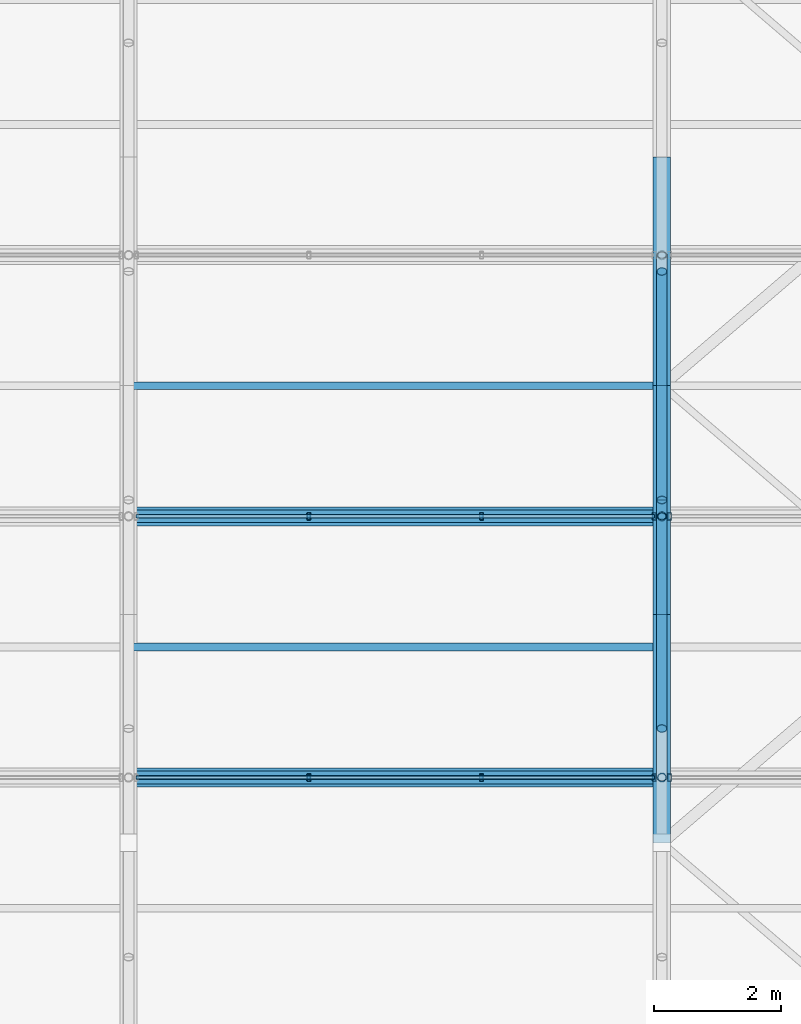
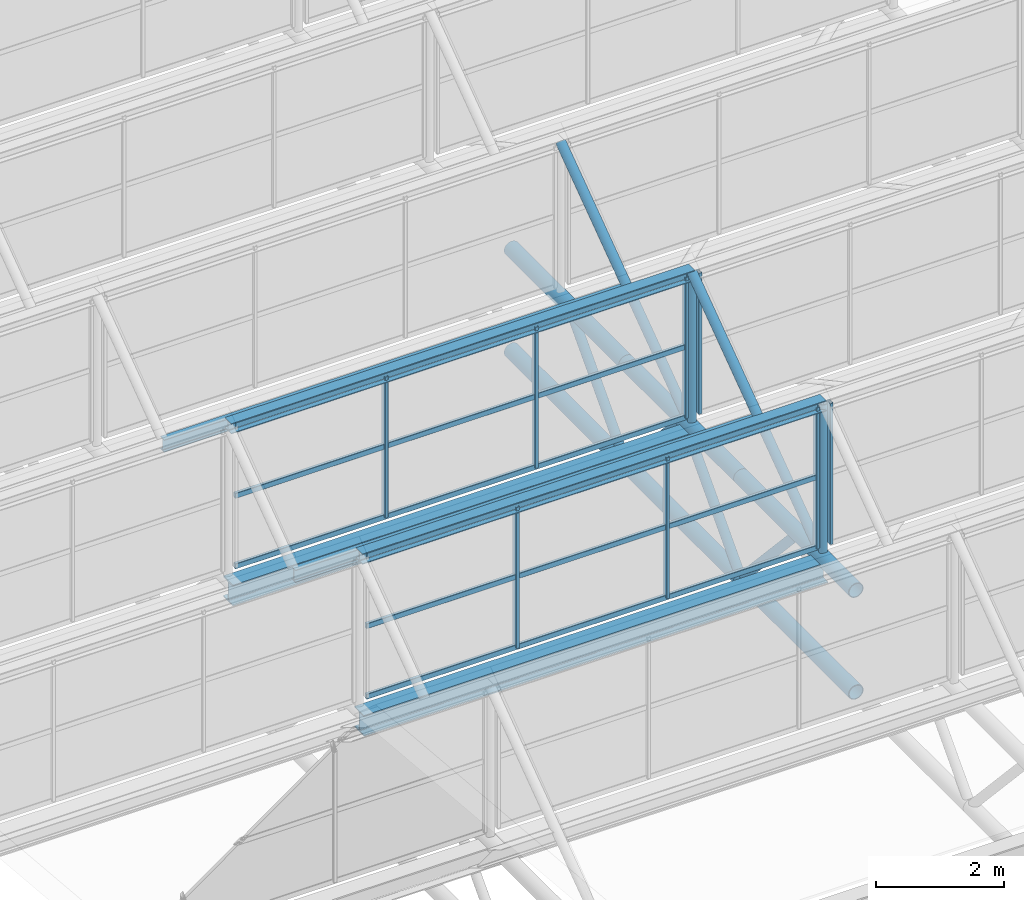
# One storey, part 87 of 134: 28 members, 6 beams, 4 elements without a shape of their own.
"""IFC4 building model written with IfcOpenShell, lengths in metres."""

from ifc_helpers import new_model, si_unit, derived_unit, direction, frame, origin, origin_2d, place, context, subcontext, project, spatial, hollow_rectangle, hollow_circle, i_section, extrude, material, material_profile, profile_set, type_object, element, aggregate, save


model = new_model("IFC4")

# Units and contexts
model_context = context("Model", 3, precision=1e-05, world=origin(), true_north=direction((0.0, 1.0)))
body_context = subcontext(model_context, "Body", "Model", "MODEL_VIEW")
ifc_project = project(units=[si_unit("LENGTHUNIT", "METRE"), si_unit("AREAUNIT", "SQUARE_METRE"), si_unit("VOLUMEUNIT", "CUBIC_METRE"), si_unit("PLANEANGLEUNIT", "RADIAN"), si_unit("MASSUNIT", "GRAM", prefix="KILO"), derived_unit("THERMALTRANSMITTANCEUNIT", [(si_unit("MASSUNIT", "GRAM", prefix="KILO"), 1), (si_unit("TIMEUNIT", "SECOND"), -3), (si_unit("THERMODYNAMICTEMPERATUREUNIT", "KELVIN"), -1)])], contexts=[model_context])

# Site, building, storey
site_placement = place(None, origin())
site = spatial("IfcSite", under=ifc_project, at=site_placement, CompositionType="ELEMENT")
building_placement = place(site_placement, origin())
building = spatial("IfcBuilding", under=site, at=building_placement, Name="Kharveza Railside Sports Centre", CompositionType="ELEMENT")
storey_placement = place(building_placement, frame((0.0, 0.0, 12.89990234375)))
storey = spatial("IfcBuildingStorey", under=building, at=storey_placement, Name="L03", CompositionType="ELEMENT", Elevation=12.89990234375)

# Beams
ifc_material_1 = material(Name="Steel S355J2", Category="steel")
ifc_material_profile_1 = material_profile(ifc_material_1, i_section(OverallWidth=0.300048828125, OverallDepth=0.39990234375, WebThickness=0.013427734375, FlangeThickness=0.02392578125, FilletRadius=0.027099609375, at=origin_2d()), Name="HEB 400")
ifc_profile_set_1 = profile_set([ifc_material_profile_1], Name="Steel S355J2")
beam_type_1 = type_object("IfcBeamType", Name="BM-G07", PredefinedType="T_BEAM", material=ifc_profile_set_1)
for number, where, z_axis, x_axis, name in (
    (1, (126.0, 87.4287109375, 1.760009765625), (1.0, 0.0, 0.0), (0.0, 1.0, 0.0), "BM-V2SAW-VAL-3-5"),
    (2, (126.0, 91.54296875, 1.760009765625), (1.0, 0.0, 0.0), (0.0, 1.0, 0.0), "BM-V2SAW-VAL-4-5"),
):
    element("IfcBeam", number, at=place(storey_placement, frame(where, z_axis=z_axis, x_axis=x_axis)), inside=storey, type_object=beam_type_1, Name=name, PredefinedType="T_BEAM", context=body_context, shape_type="SweptSolid", body=[
        extrude(i_section(OverallWidth=0.300048828125, OverallDepth=0.39990234375, WebThickness=0.013427734375, FlangeThickness=0.02392578125, FilletRadius=0.027099609375, at=origin_2d()), origin(), (0.0, 0.0, 1.0), 8.39990234375),
    ])
ifc_material_2 = material(Name="Steel S275JR", Category="steel")
ifc_material_profile_2 = material_profile(ifc_material_2, i_section(OverallWidth=0.1201171875, OverallDepth=0.239990234375, WebThickness=0.006103515625, FlangeThickness=0.009765625, FilletRadius=0.014892578125, at=origin_2d()), Name="IPE 240")
ifc_profile_set_2 = profile_set([ifc_material_profile_2], Name="Steel S275JR")
beam_type_2 = type_object("IfcBeamType", Name="BM-J01", PredefinedType="JOIST", material=ifc_profile_set_2)
for number, where, z_axis, x_axis, name in (
    (3, (126.0, 89.485595703125, 3.320068359375), (1.0, 0.0, 0.0), (0.0, 1.0, 0.0), "BM-V2SAW-PUR-3-5"),
    (4, (126.0, 93.60009765625, 3.320068359375), (1.0, 0.0, 0.0), (0.0, 1.0, 0.0), "BM-V2SAW-PUR-4-5"),
):
    element("IfcBeam", number, at=place(storey_placement, frame(where, z_axis=z_axis, x_axis=x_axis)), inside=storey, type_object=beam_type_2, Name=name, PredefinedType="JOIST", context=body_context, shape_type="SweptSolid", body=[
        extrude(i_section(OverallWidth=0.1201171875, OverallDepth=0.239990234375, WebThickness=0.006103515625, FlangeThickness=0.009765625, FilletRadius=0.014892578125, at=origin_2d()), origin(), (0.0, 0.0, 1.0), 8.39990234375),
    ])
ifc_material_profile_3 = material_profile(ifc_material_2, i_section(OverallWidth=0.199951171875, OverallDepth=0.199951171875, WebThickness=0.009033203125, FlangeThickness=0.014892578125, FilletRadius=0.01806640625, at=origin_2d()), Name="HEB 200")
ifc_profile_set_3 = profile_set([ifc_material_profile_3], Name="Steel S275JR")
beam_type_3 = type_object("IfcBeamType", Name="BM-J05", PredefinedType="JOIST", material=ifc_profile_set_3)
for number, where, z_axis, x_axis, name in (
    (5, (126.0, 87.4287109375, 4.920166015625), (1.0, 0.0, 0.0), (0.0, 1.0, 0.0), "BM-V2SAW-RDG-2-5"),
    (6, (126.0, 91.54296875, 4.920166015625), (1.0, 0.0, 0.0), (0.0, 1.0, 0.0), "BM-V2SAW-RDG-3-5"),
):
    element("IfcBeam", number, at=place(storey_placement, frame(where, z_axis=z_axis, x_axis=x_axis)), inside=storey, type_object=beam_type_3, Name=name, PredefinedType="JOIST", context=body_context, shape_type="SweptSolid", body=[
        extrude(i_section(OverallWidth=0.199951171875, OverallDepth=0.199951171875, WebThickness=0.009033203125, FlangeThickness=0.014892578125, FilletRadius=0.01806640625, at=origin_2d()), origin(), (0.0, 0.0, 1.0), 8.39990234375),
    ])

# Curtain wall, members
ifc_material_3 = material(Name="Low-E solar-control laminated glass", Category="glass")
curtain_wall_type = type_object("IfcCurtainWallType", Name="CW-NL02", PredefinedType="NOTDEFINED", material=ifc_material_3)
curtain_wall_1_placement = place(storey_placement, origin())
curtain_wall_1 = element("IfcCurtainWall", 7, at=curtain_wall_1_placement, inside=storey, type_object=curtain_wall_type, Name="CW-V2NL-2-5", PredefinedType="NOTDEFINED")
ifc_material_4 = material(Name="Anodised aluminium 6063-T6", Category="aluminium")
ifc_material_profile_4 = material_profile(ifc_material_4, hollow_rectangle(XDim=0.06005859375, YDim=0.1201171875, WallThickness=0.0048828125, InnerFilletRadius=0.0048828125, OuterFilletRadius=0.010009765625, at=origin_2d()), Name="RHS 60x120x5.0")
ifc_profile_set_4 = profile_set([ifc_material_profile_4], Name="Anodised aluminium 6063-T6")
member_type_1 = type_object("IfcMemberType", Name="CW-ML05", PredefinedType="MULLION", material=ifc_profile_set_4)
member_1_placement = place(storey_placement, frame((128.840087890625, 87.4287109375, 2.2001953125), z_axis=(0.0, 0.0, 1.0), x_axis=(1.0, 0.0, 0.0)))
member_1 = element("IfcMember", 8, at=member_1_placement, type_object=member_type_1, Name="CW-V2NL-2-5-ML2", PredefinedType="MULLION", context=body_context, shape_type="SweptSolid", body=[
    extrude(hollow_rectangle(XDim=0.06005859375, YDim=0.1201171875, WallThickness=0.0048828125, InnerFilletRadius=0.0048828125, OuterFilletRadius=0.010009765625, at=origin_2d()), origin(), (0.0, 0.0, 1.0), 2.699951171875),
])
member_2_placement = place(storey_placement, frame((131.56005859375, 87.4287109375, 2.2001953125), z_axis=(0.0, 0.0, 1.0), x_axis=(1.0, 0.0, 0.0)))
member_2 = element("IfcMember", 9, at=member_2_placement, type_object=member_type_1, Name="CW-V2NL-2-5-ML3", PredefinedType="MULLION", context=body_context, shape_type="SweptSolid", body=[
    extrude(hollow_rectangle(XDim=0.06005859375, YDim=0.1201171875, WallThickness=0.0048828125, InnerFilletRadius=0.0048828125, OuterFilletRadius=0.010009765625, at=origin_2d()), origin(), (0.0, 0.0, 1.0), 2.699951171875),
])
member_3_placement = place(storey_placement, frame((134.280029296875, 87.4287109375, 2.2001953125), z_axis=(0.0, 0.0, 1.0), x_axis=(1.0, 0.0, 0.0)))
member_3 = element("IfcMember", 10, at=member_3_placement, type_object=member_type_1, Name="CW-V2NL-2-5-ML4", PredefinedType="MULLION", context=body_context, shape_type="SweptSolid", body=[
    extrude(hollow_rectangle(XDim=0.06005859375, YDim=0.1201171875, WallThickness=0.0048828125, InnerFilletRadius=0.0048828125, OuterFilletRadius=0.010009765625, at=origin_2d()), origin(), (0.0, 0.0, 1.0), 2.699951171875),
])

# Curtain wall, member
curtain_wall_2_placement = place(storey_placement, origin())
curtain_wall_2 = element("IfcCurtainWall", 11, at=curtain_wall_2_placement, inside=storey, type_object=curtain_wall_type, Name="CW-V2NL-2-6", PredefinedType="NOTDEFINED")
member_4_placement = place(storey_placement, frame((134.52001953125, 87.4287109375, 2.2001953125), z_axis=(0.0, 0.0, 1.0), x_axis=(1.0, 0.0, 0.0)))
member_4 = element("IfcMember", 12, at=member_4_placement, type_object=member_type_1, Name="CW-V2NL-2-6-ML1", PredefinedType="MULLION", context=body_context, shape_type="SweptSolid", body=[
    extrude(hollow_rectangle(XDim=0.06005859375, YDim=0.1201171875, WallThickness=0.0048828125, InnerFilletRadius=0.0048828125, OuterFilletRadius=0.010009765625, at=origin_2d()), origin(), (0.0, 0.0, 1.0), 2.699951171875),
])
aggregate(curtain_wall_2, [member_4])

# Curtain wall, members
curtain_wall_3_placement = place(storey_placement, origin())
curtain_wall_3 = element("IfcCurtainWall", 13, at=curtain_wall_3_placement, inside=storey, type_object=curtain_wall_type, Name="CW-V2NL-3-5", PredefinedType="NOTDEFINED")
member_5_placement = place(storey_placement, frame((128.840087890625, 91.54296875, 2.2001953125), z_axis=(0.0, 0.0, 1.0), x_axis=(1.0, 0.0, 0.0)))
member_5 = element("IfcMember", 14, at=member_5_placement, type_object=member_type_1, Name="CW-V2NL-3-5-ML2", PredefinedType="MULLION", context=body_context, shape_type="SweptSolid", body=[
    extrude(hollow_rectangle(XDim=0.06005859375, YDim=0.1201171875, WallThickness=0.0048828125, InnerFilletRadius=0.0048828125, OuterFilletRadius=0.010009765625, at=origin_2d()), origin(), (0.0, 0.0, 1.0), 2.699951171875),
])
member_6_placement = place(storey_placement, frame((131.56005859375, 91.54296875, 2.2001953125), z_axis=(0.0, 0.0, 1.0), x_axis=(1.0, 0.0, 0.0)))
member_6 = element("IfcMember", 15, at=member_6_placement, type_object=member_type_1, Name="CW-V2NL-3-5-ML3", PredefinedType="MULLION", context=body_context, shape_type="SweptSolid", body=[
    extrude(hollow_rectangle(XDim=0.06005859375, YDim=0.1201171875, WallThickness=0.0048828125, InnerFilletRadius=0.0048828125, OuterFilletRadius=0.010009765625, at=origin_2d()), origin(), (0.0, 0.0, 1.0), 2.699951171875),
])
member_7_placement = place(storey_placement, frame((134.280029296875, 91.54296875, 2.2001953125), z_axis=(0.0, 0.0, 1.0), x_axis=(1.0, 0.0, 0.0)))
member_7 = element("IfcMember", 16, at=member_7_placement, type_object=member_type_1, Name="CW-V2NL-3-5-ML4", PredefinedType="MULLION", context=body_context, shape_type="SweptSolid", body=[
    extrude(hollow_rectangle(XDim=0.06005859375, YDim=0.1201171875, WallThickness=0.0048828125, InnerFilletRadius=0.0048828125, OuterFilletRadius=0.010009765625, at=origin_2d()), origin(), (0.0, 0.0, 1.0), 2.699951171875),
])

# Curtain wall, member
curtain_wall_4_placement = place(storey_placement, origin())
curtain_wall_4 = element("IfcCurtainWall", 17, at=curtain_wall_4_placement, inside=storey, type_object=curtain_wall_type, Name="CW-V2NL-3-6", PredefinedType="NOTDEFINED")
member_8_placement = place(storey_placement, frame((134.52001953125, 91.54296875, 2.2001953125), z_axis=(0.0, 0.0, 1.0), x_axis=(1.0, 0.0, 0.0)))
member_8 = element("IfcMember", 18, at=member_8_placement, type_object=member_type_1, Name="CW-V2NL-3-6-ML1", PredefinedType="MULLION", context=body_context, shape_type="SweptSolid", body=[
    extrude(hollow_rectangle(XDim=0.06005859375, YDim=0.1201171875, WallThickness=0.0048828125, InnerFilletRadius=0.0048828125, OuterFilletRadius=0.010009765625, at=origin_2d()), origin(), (0.0, 0.0, 1.0), 2.699951171875),
])
aggregate(curtain_wall_4, [member_8])

# Member
ifc_material_profile_5 = material_profile(ifc_material_4, hollow_rectangle(XDim=0.06005859375, YDim=0.10009765625, WallThickness=0.00390625, InnerFilletRadius=0.00390625, OuterFilletRadius=0.008056640625, at=origin_2d()), Name="RHS 60x100x4.0")
ifc_profile_set_5 = profile_set([ifc_material_profile_5], Name="Anodised aluminium 6063-T6")
member_type_2 = type_object("IfcMemberType", Name="CW-TR05", PredefinedType="USERDEFINED", material=ifc_profile_set_5)
member_9_placement = place(storey_placement, frame((126.1201171875, 87.4287109375, 2.2001953125), z_axis=(1.0, 0.0, 0.0), x_axis=(0.0, 1.0, 0.0)))
member_9 = element("IfcMember", 19, at=member_9_placement, type_object=member_type_2, Name="CW-V2NL-2-5-TR1", ObjectType="TRANSOM", PredefinedType="USERDEFINED", context=body_context, shape_type="SweptSolid", body=[
    extrude(hollow_rectangle(XDim=0.06005859375, YDim=0.10009765625, WallThickness=0.00390625, InnerFilletRadius=0.00390625, OuterFilletRadius=0.008056640625, at=origin_2d()), origin(), (0.0, 0.0, 1.0), 8.159912109375),
])

member_10_placement = place(storey_placement, frame((126.1201171875, 87.4287109375, 3.550048828125), z_axis=(1.0, 0.0, 0.0), x_axis=(0.0, 1.0, 0.0)))
member_10 = element("IfcMember", 20, at=member_10_placement, type_object=member_type_2, Name="CW-V2NL-2-5-TR2", ObjectType="TRANSOM", PredefinedType="USERDEFINED", context=body_context, shape_type="SweptSolid", body=[
    extrude(hollow_rectangle(XDim=0.06005859375, YDim=0.10009765625, WallThickness=0.00390625, InnerFilletRadius=0.00390625, OuterFilletRadius=0.008056640625, at=origin_2d()), origin(), (0.0, 0.0, 1.0), 8.159912109375),
])

member_11_placement = place(storey_placement, frame((126.1201171875, 87.4287109375, 4.900146484375), z_axis=(1.0, 0.0, 0.0), x_axis=(0.0, 1.0, 0.0)))
member_11 = element("IfcMember", 21, at=member_11_placement, type_object=member_type_2, Name="CW-V2NL-2-5-TR3", ObjectType="TRANSOM", PredefinedType="USERDEFINED", context=body_context, shape_type="SweptSolid", body=[
    extrude(hollow_rectangle(XDim=0.06005859375, YDim=0.10009765625, WallThickness=0.00390625, InnerFilletRadius=0.00390625, OuterFilletRadius=0.008056640625, at=origin_2d()), origin(), (0.0, 0.0, 1.0), 8.159912109375),
])

aggregate(curtain_wall_1, [member_1, member_2, member_3, member_9, member_10, member_11])

member_12_placement = place(storey_placement, frame((126.1201171875, 91.54296875, 2.2001953125), z_axis=(1.0, 0.0, 0.0), x_axis=(0.0, 1.0, 0.0)))
member_12 = element("IfcMember", 22, at=member_12_placement, type_object=member_type_2, Name="CW-V2NL-3-5-TR1", ObjectType="TRANSOM", PredefinedType="USERDEFINED", context=body_context, shape_type="SweptSolid", body=[
    extrude(hollow_rectangle(XDim=0.06005859375, YDim=0.10009765625, WallThickness=0.00390625, InnerFilletRadius=0.00390625, OuterFilletRadius=0.008056640625, at=origin_2d()), origin(), (0.0, 0.0, 1.0), 8.159912109375),
])

member_13_placement = place(storey_placement, frame((126.1201171875, 91.54296875, 3.550048828125), z_axis=(1.0, 0.0, 0.0), x_axis=(0.0, 1.0, 0.0)))
member_13 = element("IfcMember", 23, at=member_13_placement, type_object=member_type_2, Name="CW-V2NL-3-5-TR2", ObjectType="TRANSOM", PredefinedType="USERDEFINED", context=body_context, shape_type="SweptSolid", body=[
    extrude(hollow_rectangle(XDim=0.06005859375, YDim=0.10009765625, WallThickness=0.00390625, InnerFilletRadius=0.00390625, OuterFilletRadius=0.008056640625, at=origin_2d()), origin(), (0.0, 0.0, 1.0), 8.159912109375),
])

member_14_placement = place(storey_placement, frame((126.1201171875, 91.54296875, 4.900146484375), z_axis=(1.0, 0.0, 0.0), x_axis=(0.0, 1.0, 0.0)))
member_14 = element("IfcMember", 24, at=member_14_placement, type_object=member_type_2, Name="CW-V2NL-3-5-TR3", ObjectType="TRANSOM", PredefinedType="USERDEFINED", context=body_context, shape_type="SweptSolid", body=[
    extrude(hollow_rectangle(XDim=0.06005859375, YDim=0.10009765625, WallThickness=0.00390625, InnerFilletRadius=0.00390625, OuterFilletRadius=0.008056640625, at=origin_2d()), origin(), (0.0, 0.0, 1.0), 8.159912109375),
])

aggregate(curtain_wall_3, [member_5, member_6, member_7, member_12, member_13, member_14])

# Members
ifc_material_profile_6 = material_profile(ifc_material_1, hollow_circle(Radius=0.136474609375, WallThickness=0.01416015625, at=origin_2d()), Name="CHS 273.0x14.2")
ifc_profile_set_6 = profile_set([ifc_material_profile_6], Name="Steel S355J2")
member_type_3 = type_object("IfcMemberType", Name="MB-CH03", PredefinedType="CHORD", material=ifc_profile_set_6)
for number, where, z_axis, x_axis, name in (
    (25, (134.39990234375, 86.39990234375, 0.0), (0.0, 1.0, 0.0), (-1.0, 0.0, 0.0), "MB-V2TR-BC-6-3"),
    (26, (134.39990234375, 86.39990234375, 1.9501953125), (0.0, 1.0, 0.0), (-1.0, 0.0, 0.0), "MB-V2TR-TC-6-3"),
    (27, (134.39990234375, 90.0, 0.0), (0.0, 1.0, 0.0), (-1.0, 0.0, 0.0), "MB-V2TR-BC-6-4"),
    (28, (134.39990234375, 90.0, 1.9501953125), (0.0, 1.0, 0.0), (-1.0, 0.0, 0.0), "MB-V2TR-TC-6-4"),
):
    element("IfcMember", number, at=place(storey_placement, frame(where, z_axis=z_axis, x_axis=x_axis)), inside=storey, type_object=member_type_3, Name=name, PredefinedType="CHORD", context=body_context, shape_type="SweptSolid", body=[
        extrude(hollow_circle(Radius=0.136474609375, WallThickness=0.01416015625, at=origin_2d()), origin(), (0.0, 0.0, 1.0), 3.60009765625),
    ])
for number, where, z_axis, x_axis, name in (
    (29, (134.39990234375, 93.60009765625, 0.0), (0.0, 1.0, 0.0), (-1.0, 0.0, 0.0), "MB-V2TR-BC-6-5"),
    (30, (134.39990234375, 93.60009765625, 1.9501953125), (0.0, 1.0, 0.0), (-1.0, 0.0, 0.0), "MB-V2TR-TC-6-5"),
):
    element("IfcMember", number, at=place(storey_placement, frame(where, z_axis=z_axis, x_axis=x_axis)), inside=storey, type_object=member_type_3, Name=name, PredefinedType="CHORD", context=body_context, shape_type="SweptSolid", body=[
        extrude(hollow_circle(Radius=0.136474609375, WallThickness=0.01416015625, at=origin_2d()), origin(), (0.0, 0.0, 1.0), 3.599853515625),
    ])
ifc_material_profile_7 = material_profile(ifc_material_1, hollow_circle(Radius=0.084228515625, WallThickness=0.010009765625, at=origin_2d()), Name="CHS 168.3x10.0")
ifc_profile_set_7 = profile_set([ifc_material_profile_7], Name="Steel S355J2")
member_type_4 = type_object("IfcMemberType", Name="MB-ST03", PredefinedType="STRUT", material=ifc_profile_set_7)
for number, where, z_axis, x_axis, name in (
    (31, (134.39990234375, 88.199951171875, 1.9501953125), (0.0, 0.67825335715, -0.734828131956), (-1.0, 0.0, 0.0), "MB-V2TR-D2-6-3"),
    (32, (134.39990234375, 90.0, 0.0), (0.0, 0.67825335715, 0.734828131956), (-1.0, 0.0, 0.0), "MB-V2TR-D1-6-4"),
    (33, (134.39990234375, 91.800048828125, 1.9501953125), (0.0, 0.67825335715, -0.734828131956), (-1.0, 0.0, 0.0), "MB-V2TR-D2-6-4"),
):
    element("IfcMember", number, at=place(storey_placement, frame(where, z_axis=z_axis, x_axis=x_axis)), inside=storey, type_object=member_type_4, Name=name, PredefinedType="STRUT", context=body_context, shape_type="SweptSolid", body=[
        extrude(hollow_circle(Radius=0.084228515625, WallThickness=0.010009765625, at=origin_2d()), origin(), (0.0, 0.0, 1.0), 2.654052734375),
    ])
member_15_placement = place(storey_placement, frame((134.39990234375, 93.60009765625, 0.0), z_axis=(0.0, 0.678203679629, 0.734873981671), x_axis=(-1.0, 0.0, 0.0)))
element("IfcMember", 34, at=member_15_placement, inside=storey, type_object=member_type_4, Name="MB-V2TR-D1-6-5", PredefinedType="STRUT", context=body_context, shape_type="SweptSolid", body=[
    extrude(hollow_circle(Radius=0.084228515625, WallThickness=0.010009765625, at=origin_2d()), origin(), (0.0, 0.0, 1.0), 2.65380859375),
])
member_16_placement = place(storey_placement, frame((134.39990234375, 87.4287109375, 1.9501953125), z_axis=(0.0, 0.810813691418, 0.585304329225), x_axis=(-1.0, 0.0, 0.0)))
element("IfcMember", 35, at=member_16_placement, inside=storey, type_object=member_type_4, Name="MB-V2SAW-RFT-3-6", PredefinedType="STRUT", context=body_context, shape_type="SweptSolid", body=[
    extrude(hollow_circle(Radius=0.084228515625, WallThickness=0.010009765625, at=origin_2d()), origin(), (0.0, 0.0, 1.0), 5.07421875),
])
member_17_placement = place(storey_placement, frame((134.39990234375, 91.54296875, 1.9501953125), z_axis=(0.0, 0.810797207573, 0.585327163381), x_axis=(-1.0, 0.0, 0.0)))
element("IfcMember", 36, at=member_17_placement, inside=storey, type_object=member_type_4, Name="MB-V2SAW-RFT-4-6", PredefinedType="STRUT", context=body_context, shape_type="SweptSolid", body=[
    extrude(hollow_circle(Radius=0.084228515625, WallThickness=0.010009765625, at=origin_2d()), origin(), (0.0, 0.0, 1.0), 5.073974609375),
])
ifc_material_profile_8 = material_profile(ifc_material_1, hollow_circle(Radius=0.06982421875, WallThickness=0.008056640625, at=origin_2d()), Name="CHS 139.7x8.0")
ifc_profile_set_8 = profile_set([ifc_material_profile_8], Name="Steel S355J2")
member_type_5 = type_object("IfcMemberType", Name="MB-ST04", PredefinedType="STRUT", material=ifc_profile_set_8)
for number, where, z_axis, x_axis, name in (
    (37, (134.39990234375, 87.4287109375, 1.9501953125), (0.0, 0.0, 1.0), (1.0, 0.0, 0.0), "MB-V2SAW-PST-2-6"),
    (38, (134.39990234375, 91.54296875, 1.9501953125), (0.0, 0.0, 1.0), (1.0, 0.0, 0.0), "MB-V2SAW-PST-3-6"),
):
    element("IfcMember", number, at=place(storey_placement, frame(where, z_axis=z_axis, x_axis=x_axis)), inside=storey, type_object=member_type_5, Name=name, PredefinedType="STRUT", context=body_context, shape_type="SweptSolid", body=[
        extrude(hollow_circle(Radius=0.06982421875, WallThickness=0.008056640625, at=origin_2d()), origin(), (0.0, 0.0, 1.0), 2.969970703125),
    ])

save(model, "model.ifc")
